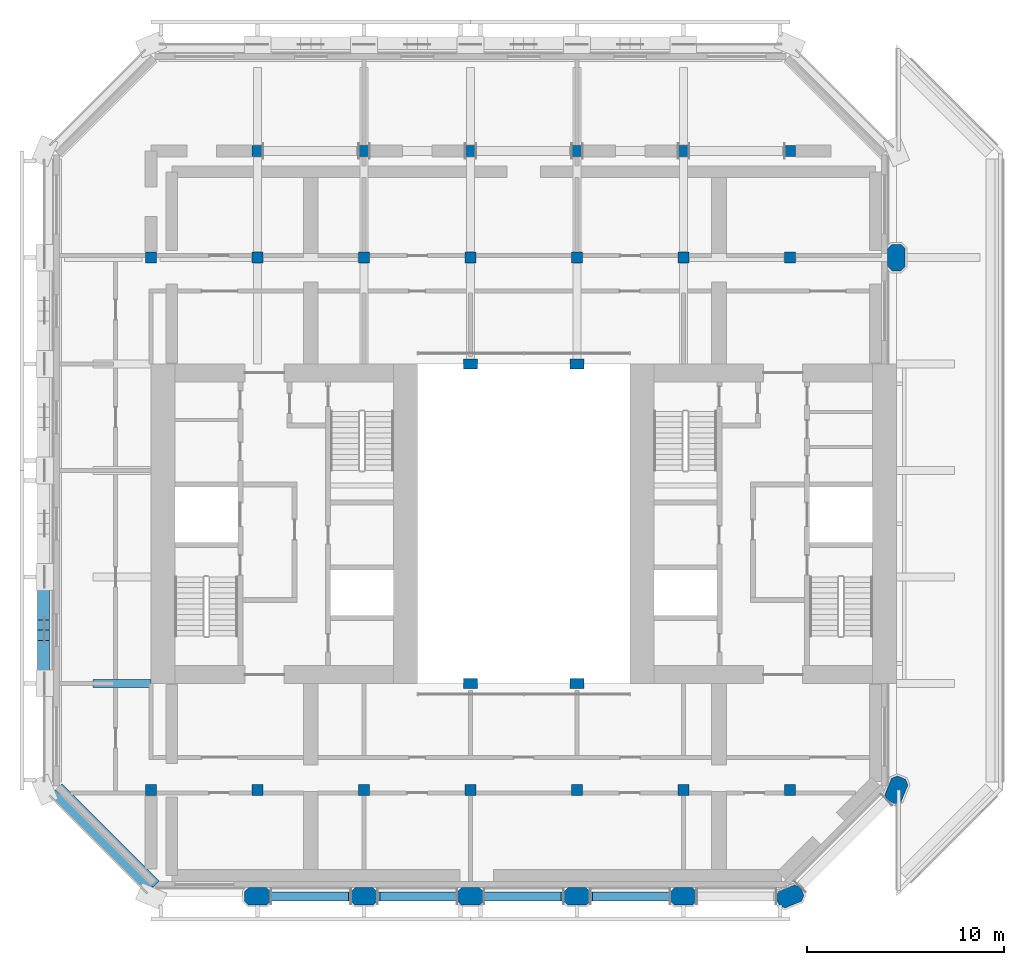
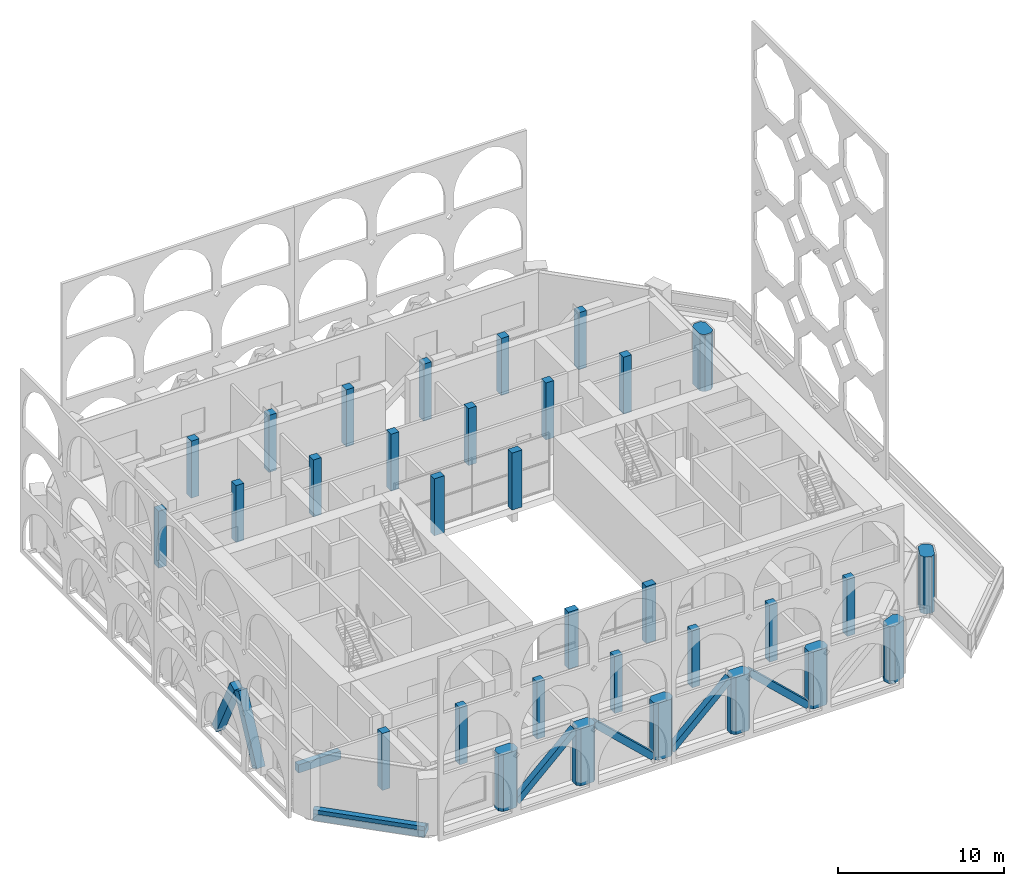
# One storey, part 1 of 16: 32 columns, 6 members, 3 beams.
"""IFC4 building model written with IfcOpenShell, lengths in metres."""

from ifc_helpers import new_model, si_unit, direction, frame, origin, origin_2d, place, context, subcontext, project, spatial, polyline, rectangle, outline, extrude, material, material_profile, profile_set, type_object, element, save


model = new_model("IFC4")

# Units and contexts
model_context = context("Model", 3, precision=1e-05, world=origin(), true_north=direction((0.0, 1.0)))
body_context = subcontext(model_context, "Body", "Model", "MODEL_VIEW")
ifc_project = project(units=[si_unit("LENGTHUNIT", "METRE"), si_unit("AREAUNIT", "SQUARE_METRE"), si_unit("VOLUMEUNIT", "CUBIC_METRE"), si_unit("PLANEANGLEUNIT", "RADIAN"), si_unit("MASSUNIT", "GRAM", prefix="KILO")], contexts=[model_context])

# Site, building, storey
site_placement = place(None, origin())
site = spatial("IfcSite", under=ifc_project, at=site_placement, CompositionType="ELEMENT")
building_placement = place(site_placement, origin())
building = spatial("IfcBuilding", under=site, at=building_placement, Name="Tabaq Tower and Sports Hall", CompositionType="ELEMENT")
storey_placement = place(building_placement, frame((0.0, 0.0, 308.199951171875)))
storey = spatial("IfcBuildingStorey", under=building, at=storey_placement, Name="L77", CompositionType="ELEMENT", Elevation=308.199951171875)

# Columns
ifc_material_1 = material(Name="Concrete C40/50", Category="concrete")
ifc_material_profile_1 = material_profile(ifc_material_1, rectangle(XDim=0.699951171875, YDim=0.5, at=origin_2d()), Name="ATRIUM COLUMN 700x500")
ifc_profile_set_1 = profile_set([ifc_material_profile_1], Name="Concrete C40/50")
column_type_1 = type_object("IfcColumnType", Name="RC COLUMN ATRIUM COLUMN 700x500 C40/50", PredefinedType="COLUMN", material=ifc_profile_set_1)
for number, where, z_axis, x_axis, name in (
    (1, (21.60009765625, 16.199951171875, 0.0), (0.0, 0.0, 1.0), (1.0, 0.0, 0.0), "Atrium Column 5/D L77"),
    (2, (27.0, 16.199951171875, 0.0), (0.0, 0.0, 1.0), (1.0, 0.0, 0.0), "Atrium Column 6/D L77"),
    (3, (21.60009765625, 32.39990234375, 0.0), (0.0, 0.0, 1.0), (1.0, 0.0, 0.0), "Atrium Column 5/G L77"),
    (4, (27.0, 32.39990234375, 0.0), (0.0, 0.0, 1.0), (1.0, 0.0, 0.0), "Atrium Column 6/G L77"),
):
    element("IfcColumn", number, at=place(storey_placement, frame(where, z_axis=z_axis, x_axis=x_axis)), inside=storey, type_object=column_type_1, Name=name, PredefinedType="COLUMN", context=body_context, shape_type="SweptSolid", body=[
        extrude(rectangle(XDim=0.699951171875, YDim=0.5, at=origin_2d()), origin(), (0.0, 0.0, 1.0), 4.199951171875),
    ])
ifc_material_2 = material(Name="Concrete C40/50", Category="concrete")
ifc_material_profile_2 = material_profile(ifc_material_2, rectangle(XDim=0.550048828125, YDim=0.550048828125, at=origin_2d()), Name="COLUMN 550x550")
ifc_profile_set_2 = profile_set([ifc_material_profile_2], Name="Concrete C40/50")
column_type_2 = type_object("IfcColumnType", Name="RC COLUMN COLUMN 550x550 C40/50", PredefinedType="COLUMN", material=ifc_profile_set_2)
for number, where, z_axis, x_axis, name in (
    (5, (5.39990234375, 10.800048828125, 0.0), (0.0, 0.0, 1.0), (1.0, 0.0, 0.0), "Column 2/C L77"),
    (6, (10.800048828125, 10.800048828125, 0.0), (0.0, 0.0, 1.0), (1.0, 0.0, 0.0), "Column 3/C L77"),
    (7, (16.199951171875, 10.800048828125, 0.0), (0.0, 0.0, 1.0), (1.0, 0.0, 0.0), "Column 4/C L77"),
    (8, (21.60009765625, 10.800048828125, 0.0), (0.0, 0.0, 1.0), (1.0, 0.0, 0.0), "Column 5/C L77"),
    (9, (27.0, 10.800048828125, 0.0), (0.0, 0.0, 1.0), (1.0, 0.0, 0.0), "Column 6/C L77"),
    (10, (32.39990234375, 10.800048828125, 0.0), (0.0, 0.0, 1.0), (1.0, 0.0, 0.0), "Column 7/C L77"),
    (11, (37.800048828125, 10.800048828125, 0.0), (0.0, 0.0, 1.0), (1.0, 0.0, 0.0), "Column 8/C L77"),
    (12, (5.39990234375, 37.800048828125, 0.0), (0.0, 0.0, 1.0), (1.0, 0.0, 0.0), "Column 2/H L77"),
    (13, (10.800048828125, 37.800048828125, 0.0), (0.0, 0.0, 1.0), (1.0, 0.0, 0.0), "Column 3/H L77"),
    (14, (16.199951171875, 37.800048828125, 0.0), (0.0, 0.0, 1.0), (1.0, 0.0, 0.0), "Column 4/H L77"),
    (15, (21.60009765625, 37.800048828125, 0.0), (0.0, 0.0, 1.0), (1.0, 0.0, 0.0), "Column 5/H L77"),
    (16, (27.0, 37.800048828125, 0.0), (0.0, 0.0, 1.0), (1.0, 0.0, 0.0), "Column 6/H L77"),
    (17, (32.39990234375, 37.800048828125, 0.0), (0.0, 0.0, 1.0), (1.0, 0.0, 0.0), "Column 7/H L77"),
    (18, (37.800048828125, 37.800048828125, 0.0), (0.0, 0.0, 1.0), (1.0, 0.0, 0.0), "Column 8/H L77"),
    (19, (10.800048828125, 43.199951171875, 0.0), (0.0, 0.0, 1.0), (1.0, 0.0, 0.0), "Column 3/I L77"),
    (20, (16.199951171875, 43.199951171875, 0.0), (0.0, 0.0, 1.0), (1.0, 0.0, 0.0), "Column 4/I L77"),
    (21, (21.60009765625, 43.199951171875, 0.0), (0.0, 0.0, 1.0), (1.0, 0.0, 0.0), "Column 5/I L77"),
    (22, (27.0, 43.199951171875, 0.0), (0.0, 0.0, 1.0), (1.0, 0.0, 0.0), "Column 6/I L77"),
    (23, (32.39990234375, 43.199951171875, 0.0), (0.0, 0.0, 1.0), (1.0, 0.0, 0.0), "Column 7/I L77"),
    (24, (37.800048828125, 43.199951171875, 0.0), (0.0, 0.0, 1.0), (1.0, 0.0, 0.0), "Column 8/I L77"),
):
    element("IfcColumn", number, at=place(storey_placement, frame(where, z_axis=z_axis, x_axis=x_axis)), inside=storey, type_object=column_type_2, Name=name, PredefinedType="COLUMN", context=body_context, shape_type="SweptSolid", body=[
        extrude(rectangle(XDim=0.550048828125, YDim=0.550048828125, at=origin_2d()), origin(), (0.0, 0.0, 1.0), 4.199951171875),
    ])
ifc_material_3 = material(Name="Concrete C40/50", Category="concrete")
ifc_material_profile_3 = material_profile(ifc_material_3, outline(polyline([(-0.449951171875, -0.449951171875), (0.449951171875, -0.449951171875), (0.675048828125, -0.22509765625), (0.675048828125, 0.22509765625), (0.449951171875, 0.449951171875), (-0.449951171875, 0.449951171875), (-0.675048828125, 0.22509765625), (-0.675048828125, -0.22509765625), (-0.449951171875, -0.449951171875)])), Name="PIER 1350x900")
ifc_profile_set_3 = profile_set([ifc_material_profile_3], Name="Concrete C40/50")
column_type_3 = type_object("IfcColumnType", Name="RC COLUMN PIER 1350x900 C40/50", PredefinedType="COLUMN", material=ifc_profile_set_3)
for number, where, z_axis, x_axis, name in (
    (25, (10.800048828125, 5.39990234375, 0.0), (0.0, 0.0, 1.0), (1.0, 0.0, 0.0), "Pier 3/B L77"),
    (26, (16.199951171875, 5.39990234375, 0.0), (0.0, 0.0, 1.0), (1.0, 0.0, 0.0), "Pier 4/B L77"),
    (27, (21.60009765625, 5.39990234375, 0.0), (0.0, 0.0, 1.0), (1.0, 0.0, 0.0), "Pier 5/B L77"),
    (28, (27.0, 5.39990234375, 0.0), (0.0, 0.0, 1.0), (1.0, 0.0, 0.0), "Pier 6/B L77"),
    (29, (32.39990234375, 5.39990234375, 0.0), (0.0, 0.0, 1.0), (1.0, 0.0, 0.0), "Pier 7/B L77"),
    (30, (37.800048828125, 5.39990234375, 0.0), (0.0, 0.0, 1.0), (0.923879532511, 0.382683432365, 0.0), "Pier 8/B L77"),
    (31, (43.199951171875, 10.800048828125, 0.0), (0.0, 0.0, 1.0), (0.382683432365, 0.923879532511, 0.0), "Pier 9/C L77"),
    (32, (43.199951171875, 37.800048828125, 0.0), (0.0, 0.0, 1.0), (0.0, 1.0, 0.0), "Pier 9/H L77"),
):
    element("IfcColumn", number, at=place(storey_placement, frame(where, z_axis=z_axis, x_axis=x_axis)), inside=storey, type_object=column_type_3, Name=name, PredefinedType="COLUMN", context=body_context, shape_type="SweptSolid", body=[
        extrude(outline(polyline([(-0.449951171875, -0.449951171875), (0.449951171875, -0.449951171875), (0.675048828125, -0.22509765625), (0.675048828125, 0.22509765625), (0.449951171875, 0.449951171875), (-0.449951171875, 0.449951171875), (-0.675048828125, 0.22509765625), (-0.675048828125, -0.22509765625), (-0.449951171875, -0.449951171875)])), origin(), (0.0, 0.0, 1.0), 4.199951171875),
    ])

# Beams
ifc_material_4 = material(Name="Concrete C40/50", Category="concrete")
ifc_material_profile_4 = material_profile(ifc_material_4, rectangle(XDim=0.39990234375, YDim=0.60009765625, at=origin_2d()), Name="CB 400x600")
ifc_profile_set_4 = profile_set([ifc_material_profile_4], Name="Concrete C40/50")
beam_type_1 = type_object("IfcBeamType", Name="PT CANTILEVER BEAM CB 400x600 C40/50", PredefinedType="BEAM", material=ifc_profile_set_4)
beam_1_placement = place(storey_placement, frame((2.449951171875, 16.199951171875, -0.800048828125), z_axis=(1.0, 0.0, 0.0), x_axis=(0.0, 1.0, 0.0)))
element("IfcBeam", 33, at=beam_1_placement, inside=storey, type_object=beam_type_1, Name="Cantilever Beam L77 W3 span 1", PredefinedType="BEAM", context=body_context, shape_type="SweptSolid", body=[
    extrude(rectangle(XDim=0.39990234375, YDim=0.60009765625, at=origin_2d()), origin(), (0.0, 0.0, 1.0), 2.949951171875),
])
ifc_material_5 = material(Name="Concrete C40/50", Category="concrete")
ifc_material_profile_5 = material_profile(ifc_material_5, rectangle(XDim=0.85009765625, YDim=0.5, at=origin_2d()), Name="EB 850x500")
ifc_profile_set_5 = profile_set([ifc_material_profile_5], Name="Concrete C40/50")
beam_type_2 = type_object("IfcBeamType", Name="PT EDGE BEAM EB 850x500 C40/50", PredefinedType="SPANDREL", material=ifc_profile_set_5)
beam_2_placement = place(storey_placement, frame((0.584716796875, 10.816162109375, -0.25), z_axis=(0.707106781187, -0.707106781187, 0.0), x_axis=(0.707106781187, 0.707106781187, 0.0)))
element("IfcBeam", 34, at=beam_2_placement, inside=storey, type_object=beam_type_2, Name="Edge Beam L77 5", PredefinedType="SPANDREL", context=body_context, shape_type="SweptSolid", body=[
    extrude(rectangle(XDim=0.85009765625, YDim=0.5, at=origin_2d()), origin(), (0.0, 0.0, 1.0), 6.98486328125),
])
ifc_material_6 = material(Name="Concrete C40/50", Category="concrete")
ifc_material_profile_6 = material_profile(ifc_material_6, rectangle(XDim=0.39990234375, YDim=0.300048828125, at=origin_2d()), Name="EU 400x300")
ifc_profile_set_6 = profile_set([ifc_material_profile_6], Name="Concrete C40/50")
beam_type_3 = type_object("IfcBeamType", Name="PT EDGE UPSTAND EU 400x300 C40/50", PredefinedType="BEAM", material=ifc_profile_set_6)
beam_3_placement = place(storey_placement, frame((0.42578125, 10.6572265625, 0.150146484375), z_axis=(0.707106781187, -0.707106781187, 0.0), x_axis=(0.707106781187, 0.707106781187, 0.0)))
element("IfcBeam", 35, at=beam_3_placement, inside=storey, type_object=beam_type_3, Name="Edge Upstand L77 5", PredefinedType="BEAM", context=body_context, shape_type="SweptSolid", body=[
    extrude(rectangle(XDim=0.39990234375, YDim=0.300048828125, at=origin_2d()), origin(), (0.0, 0.0, 1.0), 6.98486328125),
])

# Members
ifc_material_7 = material(Name="Concrete C40/50", Category="concrete")
ifc_material_profile_7 = material_profile(ifc_material_7, rectangle(XDim=0.449951171875, YDim=0.449951171875, at=origin_2d()), Name="BELT STRUT 450x450")
ifc_profile_set_7 = profile_set([ifc_material_profile_7], Name="Concrete C40/50")
member_type_1 = type_object("IfcMemberType", Name="RC BELT TRUSS STRUT BELT STRUT 450x450 C40/50", PredefinedType="BRACE", material=ifc_profile_set_7)
member_1_placement = place(storey_placement, frame((11.445068359375, 5.39990234375, 0.163818359375), z_axis=(0.727806400787, 0.0, 0.685782649951), x_axis=(0.0, 1.0, 0.0)))
element("IfcMember", 36, at=member_1_placement, inside=storey, type_object=member_type_1, Name="Belt Truss Strut L77 1", PredefinedType="BRACE", context=body_context, shape_type="SweptSolid", body=[
    extrude(rectangle(XDim=0.449951171875, YDim=0.449951171875, at=origin_2d()), origin(), (0.0, 0.0, 1.0), 5.64697265625),
])
member_2_placement = place(storey_placement, frame((20.955078125, 5.39990234375, 0.163818359375), z_axis=(-0.72782673283, 0.0, 0.685761071349), x_axis=(0.0, -1.0, 0.0)))
element("IfcMember", 37, at=member_2_placement, inside=storey, type_object=member_type_1, Name="Belt Truss Strut L77 2", PredefinedType="BRACE", context=body_context, shape_type="SweptSolid", body=[
    extrude(rectangle(XDim=0.449951171875, YDim=0.449951171875, at=origin_2d()), origin(), (0.0, 0.0, 1.0), 5.647216796875),
])
for number, where, z_axis, x_axis, name in (
    (38, (22.2451171875, 5.39990234375, 0.163818359375), (0.727806400787, 0.0, 0.685782649951), (0.0, 1.0, 0.0), "Belt Truss Strut L77 3"),
    (39, (31.7548828125, 5.39990234375, 0.163818359375), (-0.727806400787, 0.0, 0.685782649951), (0.0, -1.0, 0.0), "Belt Truss Strut L77 4"),
):
    element("IfcMember", number, at=place(storey_placement, frame(where, z_axis=z_axis, x_axis=x_axis)), inside=storey, type_object=member_type_1, Name=name, PredefinedType="BRACE", context=body_context, shape_type="SweptSolid", body=[
        extrude(rectangle(XDim=0.449951171875, YDim=0.449951171875, at=origin_2d()), origin(), (0.0, 0.0, 1.0), 5.64697265625),
    ])
ifc_material_8 = material(Name="Concrete C40/50", Category="concrete")
ifc_material_profile_8 = material_profile(ifc_material_8, rectangle(XDim=0.60009765625, YDim=0.60009765625, at=origin_2d()), Name="TRANSFER BAND BRACE 600x600")
ifc_profile_set_8 = profile_set([ifc_material_profile_8], Name="Concrete C40/50")
member_type_2 = type_object("IfcMemberType", Name="RC TRANSFER BAND BRACE 600x600 C40/50", PredefinedType="BRACE", material=ifc_profile_set_8)
member_3_placement = place(storey_placement, frame((-0.050048828125, 16.449951171875, -0.050048828125), z_axis=(0.0, 0.447193744375, 0.894437116287), x_axis=(-1.0, 0.0, 0.0)))
element("IfcMember", 40, at=member_3_placement, inside=storey, type_object=member_type_2, Name="Transfer Band Brace L77 West 9", PredefinedType="BRACE", context=body_context, shape_type="SweptSolid", body=[
    extrude(rectangle(XDim=0.60009765625, YDim=0.60009765625, at=origin_2d()), origin(), (0.0, 0.0, 1.0), 4.91943359375),
])
member_4_placement = place(storey_placement, frame((-0.050048828125, 21.35009765625, -0.050048828125), z_axis=(0.0, -0.447233445964, 0.894417265492), x_axis=(1.0, 0.0, 0.0)))
element("IfcMember", 41, at=member_4_placement, inside=storey, type_object=member_type_2, Name="Transfer Band Brace L77 West 10", PredefinedType="BRACE", context=body_context, shape_type="SweptSolid", body=[
    extrude(rectangle(XDim=0.60009765625, YDim=0.60009765625, at=origin_2d()), origin(), (0.0, 0.0, 1.0), 4.919677734375),
])

save(model, "model.ifc")
